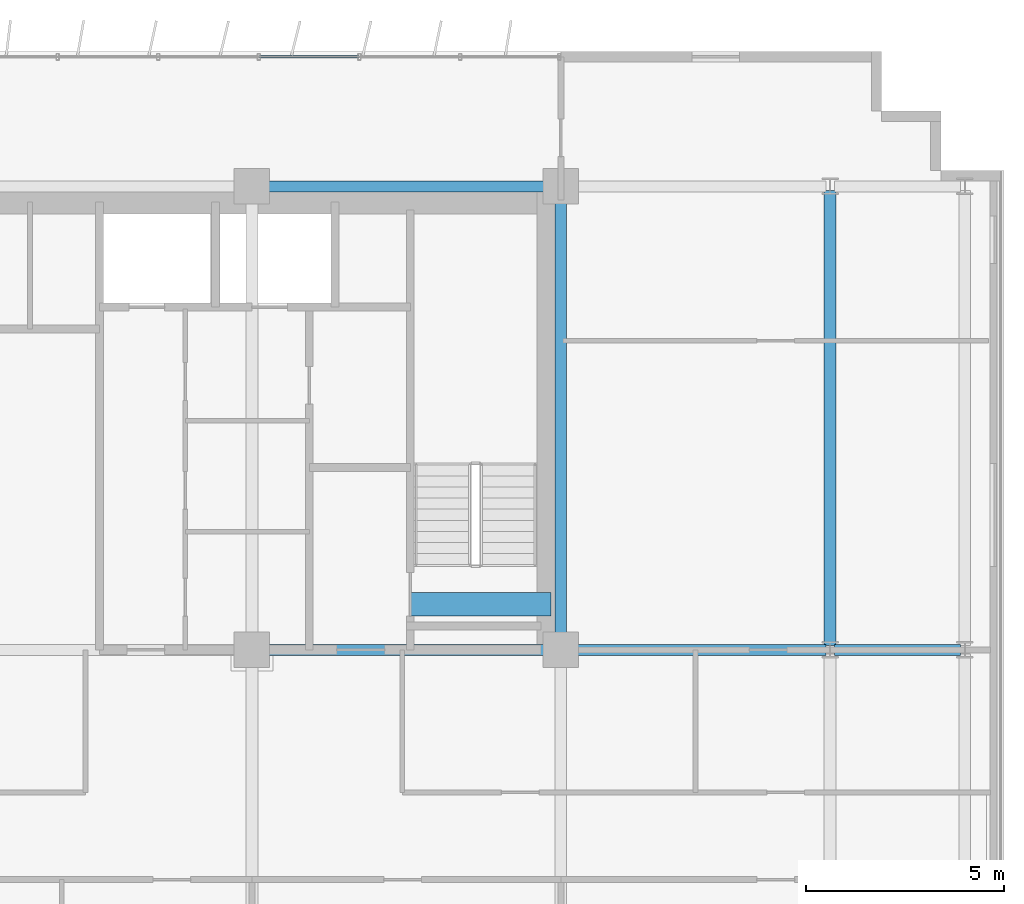
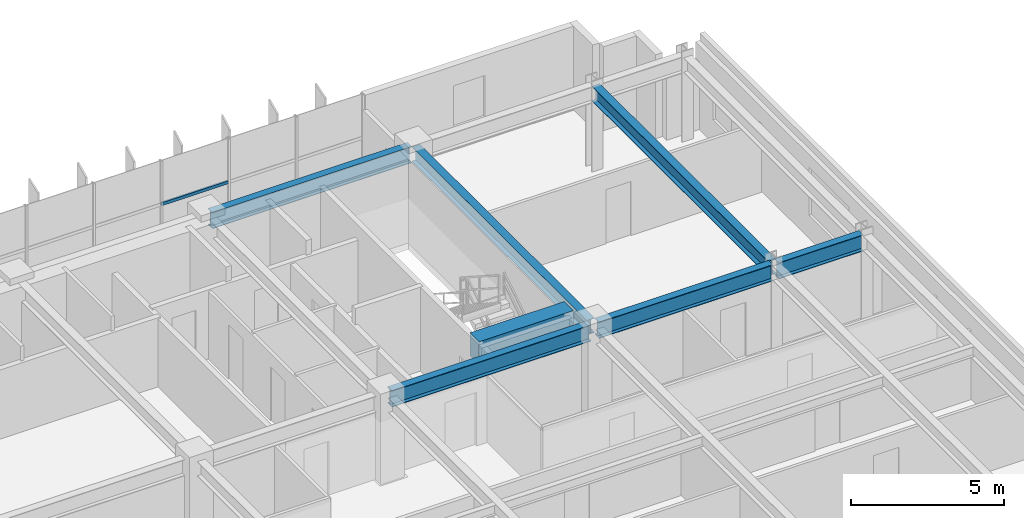
# One storey, part 11 of 23: 7 beams, 1 member, 1 element without a shape of its own.
"""IFC4 building model written with IfcOpenShell, lengths in metres."""

from ifc_helpers import new_model, si_unit, direction, frame, origin, origin_2d, place, context, subcontext, project, spatial, rectangle, hollow_rectangle, i_section, extrude, source, transform, mapped, material, material_profile, profile_set, type_object, element, aggregate, save


model = new_model("IFC4")

# Units and contexts
model_context = context("Model", 3, precision=1e-05, world=origin(), true_north=direction((0.0, 1.0)))
body_context = subcontext(model_context, "Body", "Model", "MODEL_VIEW")
ifc_project = project(units=[si_unit("LENGTHUNIT", "METRE"), si_unit("AREAUNIT", "SQUARE_METRE"), si_unit("VOLUMEUNIT", "CUBIC_METRE"), si_unit("PLANEANGLEUNIT", "RADIAN"), si_unit("MASSUNIT", "GRAM", prefix="KILO")], contexts=[model_context])

# Site, building, storey
site_placement = place(None, origin())
site = spatial("IfcSite", under=ifc_project, at=site_placement, CompositionType="ELEMENT")
building_placement = place(site_placement, origin())
building = spatial("IfcBuilding", under=site, at=building_placement, Name="Trelvane Seafront Commons", CompositionType="ELEMENT")
storey_placement = place(building_placement, frame((0.0, 0.0, 63.10009765625)))
storey = spatial("IfcBuildingStorey", under=building, at=storey_placement, Name="L16", CompositionType="ELEMENT", Elevation=63.10009765625)

# Beams
ifc_material_1 = material(Name="Concrete C60/75", Category="concrete")
ifc_material_profile_1 = material_profile(ifc_material_1, rectangle(XDim=0.60009765625, YDim=0.89990234375, at=origin_2d()), Name="RC-600x900")
ifc_profile_set_1 = profile_set([ifc_material_profile_1], Name="Concrete C60/75")
beam_type_1 = type_object("IfcBeamType", Name="STR-LNT-RC600x900", PredefinedType="LINTEL", material=ifc_profile_set_1)
shared_shape_1 = source(origin(), body_context, "Body", "SweptSolid", [
    extrude(rectangle(XDim=0.60009765625, YDim=0.89990234375, at=origin_2d()), origin(), (0.0, 0.0, 1.0), 3.550048828125),
])
beam_1_placement = place(storey_placement, frame((55.0, 34.550048828125, 2.889892578125), z_axis=(1.0, 0.0, 0.0), x_axis=(0.0, 1.0, 0.0)))
element("IfcBeam", 1, at=beam_1_placement, inside=storey, type_object=beam_type_1, Name="L16 Core Coupling Lintel Beam CB-84", PredefinedType="LINTEL", context=body_context, shape_type="MappedRepresentation", body=[
    mapped(shared_shape_1, transform((0.0, 0.0, 0.0), x_axis=(1.0, 0.0, 0.0), y_axis=(0.0, 1.0, 0.0), z_axis=(0.0, 0.0, 1.0), scale=1.0)),
])
ifc_material_2 = material(Name="Steel SM355 (S355)", Category="steel")
ifc_material_profile_2 = material_profile(ifc_material_2, i_section(OverallWidth=0.280029296875, OverallDepth=0.64990234375, WebThickness=0.012939453125, FlangeThickness=0.02197265625, at=origin_2d()), Name="H-650x280x13x22")
ifc_profile_set_2 = profile_set([ifc_material_profile_2], Name="Steel SM355 (S355)")
beam_type_2 = type_object("IfcBeamType", Name="STR-BM-H650", PredefinedType="BEAM", material=ifc_profile_set_2)
shared_shape_2 = source(origin(), body_context, "Body", "SweptSolid", [
    extrude(i_section(OverallWidth=0.280029296875, OverallDepth=0.64990234375, WebThickness=0.012939453125, FlangeThickness=0.02197265625, at=origin_2d()), origin(), (0.0, 0.0, 1.0), 3.18994140625),
])
beam_2_placement = place(storey_placement, frame((65.705078125, 33.39990234375, 3.014892578125), z_axis=(1.0, 0.0, 0.0), x_axis=(0.0, 1.0, 0.0)))
element("IfcBeam", 2, at=beam_2_placement, inside=storey, type_object=beam_type_2, Name="L16 Primary Girder G-27", PredefinedType="BEAM", context=body_context, shape_type="MappedRepresentation", body=[
    mapped(shared_shape_2, transform((0.0, 0.0, 0.0), x_axis=(1.0, 0.0, 0.0), y_axis=(0.0, 1.0, 0.0), z_axis=(0.0, 0.0, 1.0), scale=1.0)),
])
shared_shape_3 = source(origin(), body_context, "Body", "SweptSolid", [
    extrude(i_section(OverallWidth=0.280029296875, OverallDepth=0.64990234375, WebThickness=0.012939453125, FlangeThickness=0.02197265625, at=origin_2d()), origin(), (0.0, 0.0, 1.0), 6.545166015625),
])
beam_3_placement = place(storey_placement, frame((58.949951171875, 33.39990234375, 3.014892578125), z_axis=(1.0, 0.0, 0.0), x_axis=(0.0, 1.0, 0.0)))
element("IfcBeam", 3, at=beam_3_placement, inside=storey, type_object=beam_type_2, Name="L16 Primary Girder G-26", PredefinedType="BEAM", context=body_context, shape_type="MappedRepresentation", body=[
    mapped(shared_shape_3, transform((0.0, 0.0, 0.0), x_axis=(1.0, 0.0, 0.0), y_axis=(0.0, 1.0, 0.0), z_axis=(0.0, 0.0, 1.0), scale=1.0)),
])
shared_shape_4 = source(origin(), body_context, "Body", "SweptSolid", [
    extrude(i_section(OverallWidth=0.280029296875, OverallDepth=0.64990234375, WebThickness=0.012939453125, FlangeThickness=0.02197265625, at=origin_2d()), origin(), (0.0, 0.0, 1.0), 7.5),
])
for number, where, z_axis, x_axis, name in (
    (4, (51.14990234375, 33.39990234375, 3.014892578125), (1.0, 0.0, 0.0), (0.0, 1.0, 0.0), "L16 Primary Girder G-25"),
    (5, (51.14990234375, 45.10009765625, 3.014892578125), (1.0, 0.0, 0.0), (0.0, 1.0, 0.0), "L16 Primary Girder G-34"),
):
    element("IfcBeam", number, at=place(storey_placement, frame(where, z_axis=z_axis, x_axis=x_axis)), inside=storey, type_object=beam_type_2, Name=name, PredefinedType="BEAM", context=body_context, shape_type="MappedRepresentation", body=[
        mapped(shared_shape_4, transform((0.0, 0.0, 0.0), x_axis=(1.0, 0.0, 0.0), y_axis=(0.0, 1.0, 0.0), z_axis=(0.0, 0.0, 1.0), scale=1.0)),
    ])
ifc_material_profile_3 = material_profile(ifc_material_2, i_section(OverallWidth=0.300048828125, OverallDepth=0.587890625, WebThickness=0.011962890625, FlangeThickness=0.02001953125, at=origin_2d()), Name="H-588x300x12x20")
ifc_profile_set_3 = profile_set([ifc_material_profile_3], Name="Steel SM355 (S355)")
beam_type_3 = type_object("IfcBeamType", Name="STR-BM-H588", PredefinedType="BEAM", material=ifc_profile_set_3)
shared_shape_5 = source(origin(), body_context, "Body", "SweptSolid", [
    extrude(i_section(OverallWidth=0.300048828125, OverallDepth=0.587890625, WebThickness=0.011962890625, FlangeThickness=0.02001953125, at=origin_2d()), origin(), (0.0, 0.0, 1.0), 11.490234375),
])
beam_4_placement = place(storey_placement, frame((65.60009765625, 33.5048828125, 3.0458984375), z_axis=(0.0, 1.0, 0.0), x_axis=(-1.0, 0.0, 0.0)))
element("IfcBeam", 6, at=beam_4_placement, inside=storey, type_object=beam_type_3, Name="L16 Primary Girder G-63", PredefinedType="BEAM", context=body_context, shape_type="MappedRepresentation", body=[
    mapped(shared_shape_5, transform((0.0, 0.0, 0.0), x_axis=(1.0, 0.0, 0.0), y_axis=(0.0, 1.0, 0.0), z_axis=(0.0, 0.0, 1.0), scale=1.0)),
])
shared_shape_6 = source(origin(), body_context, "Body", "SweptSolid", [
    extrude(i_section(OverallWidth=0.300048828125, OverallDepth=0.587890625, WebThickness=0.011962890625, FlangeThickness=0.02001953125, at=origin_2d()), origin(), (0.0, 0.0, 1.0), 11.39990234375),
])
beam_5_placement = place(storey_placement, frame((58.800048828125, 33.550048828125, 3.0458984375), z_axis=(0.0, 1.0, 0.0), x_axis=(-1.0, 0.0, 0.0)))
element("IfcBeam", 7, at=beam_5_placement, inside=storey, type_object=beam_type_3, Name="L16 Primary Girder G-60", PredefinedType="BEAM", context=body_context, shape_type="MappedRepresentation", body=[
    mapped(shared_shape_6, transform((0.0, 0.0, 0.0), x_axis=(1.0, 0.0, 0.0), y_axis=(0.0, 1.0, 0.0), z_axis=(0.0, 0.0, 1.0), scale=1.0)),
])

# Curtain wall, member
ifc_material_3 = material(Name="Anodised pale-silver aluminium", Category="aluminium")
curtain_wall_type = type_object("IfcCurtainWallType", Name="ARCH-CW2-LOWTOWER", PredefinedType="NOTDEFINED", material=ifc_material_3)
curtain_wall_placement = place(storey_placement, origin())
curtain_wall = element("IfcCurtainWall", 8, at=curtain_wall_placement, inside=storey, type_object=curtain_wall_type, Name="CW-L16-0040", PredefinedType="NOTDEFINED")
ifc_material_profile_4 = material_profile(ifc_material_3, hollow_rectangle(XDim=0.070068359375, YDim=0.1201171875, WallThickness=0.00390625, at=origin_2d()), Name="TRAN-70x120x4")
ifc_profile_set_4 = profile_set([ifc_material_profile_4], Name="Anodised pale-silver aluminium")
member_type = type_object("IfcMemberType", Name="ARCH-CW-TRAN-120", PredefinedType="USERDEFINED", material=ifc_profile_set_4)
shared_shape_7 = source(origin(), body_context, "Body", "SweptSolid", [
    extrude(hollow_rectangle(XDim=0.070068359375, YDim=0.1201171875, WallThickness=0.00390625, at=origin_2d()), origin(), (0.0, 0.0, 1.0), 2.51708984375),
])
member_placement = place(storey_placement, frame((51.1884765625, 48.3701171875, 1.602783203125), z_axis=(1.0, 0.0, 0.0), x_axis=(0.0, 1.0, 0.0)))
member = element("IfcMember", 9, at=member_placement, type_object=member_type, Name="CW-L16-0040-T14", ObjectType="TRANSOM", PredefinedType="USERDEFINED", context=body_context, shape_type="MappedRepresentation", body=[
    mapped(shared_shape_7, transform((0.0, 0.0, 0.0), x_axis=(1.0, 0.0, 0.0), y_axis=(0.0, 1.0, 0.0), z_axis=(0.0, 0.0, 1.0), scale=1.0)),
])
aggregate(curtain_wall, [member])

save(model, "model.ifc")
